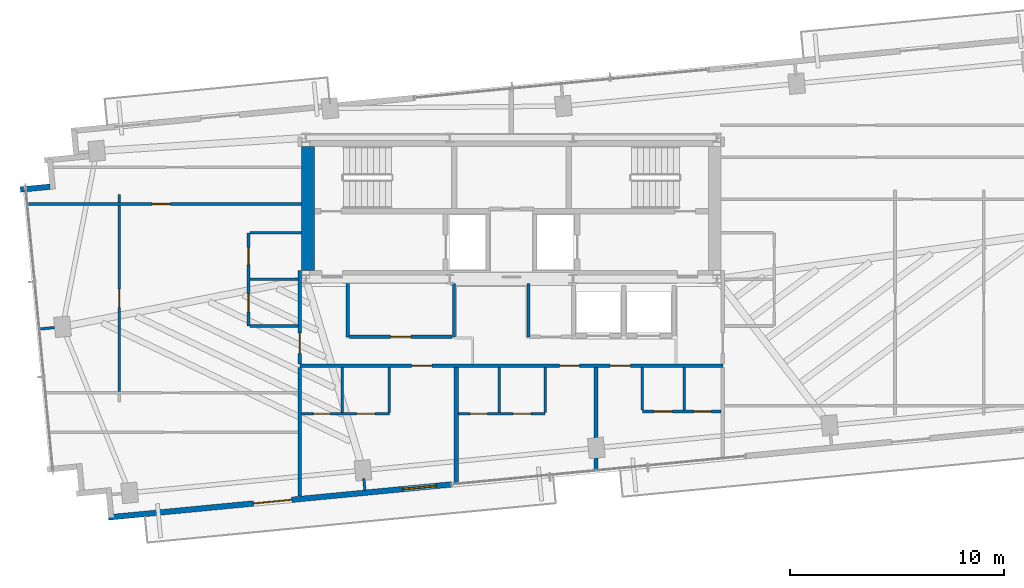
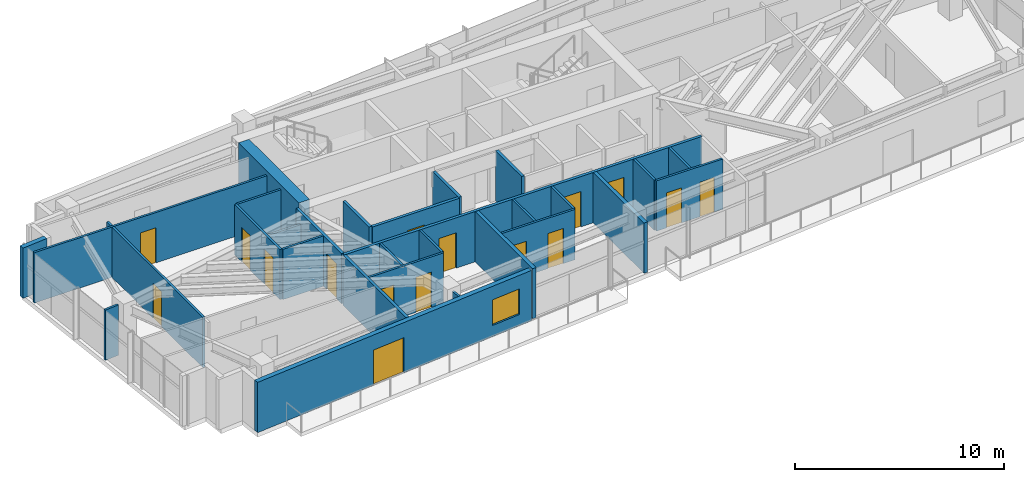
# One storey, part 13 of 18: 30 walls, 16 doors, 1 window, 17 openings.
"""IFC4 building model written with IfcOpenShell, lengths in metres."""

from ifc_helpers import new_model, si_unit, direction, frame, frame_2d, origin, place, context, subcontext, project, spatial, rectangle, extrude, source, transform, mapped, material, layer, layer_set, type_object, type_shapes, element, fill, save


model = new_model("IFC4")

# Units and contexts
model_context = context("Model", 3, precision=1e-05, world=origin(), true_north=direction((0.0, 1.0)))
body_context = subcontext(model_context, "Body", "Model", "MODEL_VIEW")
ifc_project = project(units=[si_unit("LENGTHUNIT", "METRE"), si_unit("AREAUNIT", "SQUARE_METRE"), si_unit("VOLUMEUNIT", "CUBIC_METRE"), si_unit("PLANEANGLEUNIT", "RADIAN"), si_unit("MASSUNIT", "GRAM", prefix="KILO")], contexts=[model_context])

# Site, building, storey
site_placement = place(None, origin())
site = spatial("IfcSite", under=ifc_project, at=site_placement, CompositionType="ELEMENT")
building_placement = place(site_placement, origin())
building = spatial("IfcBuilding", under=site, at=building_placement, Name="Astriad Promenade Condominiums", CompositionType="ELEMENT")
storey_placement = place(building_placement, frame((0.0, 0.0, 201.800048828125)))
storey = spatial("IfcBuildingStorey", under=building, at=storey_placement, Name="L58", CompositionType="ELEMENT", Elevation=201.800048828125)

# Wall
ifc_material_1 = material(Name="Concrete C50/60", Category="concrete")
ifc_layer_1 = layer(ifc_material_1, 0.60009765625)
ifc_layer_set_1 = layer_set([ifc_layer_1], Name="Concrete C50/60")
wall_type_1 = type_object("IfcWallType", Name="CW-SHEAR-600", PredefinedType="SHEAR", material=ifc_layer_set_1)
wall_1_placement = place(storey_placement, frame((26.5, 17.802001953125, 0.0), z_axis=(0.0, 0.0, 1.0), x_axis=(0.0, 1.0, 0.0)))
element("IfcWall", 1, at=wall_1_placement, inside=storey, type_object=wall_type_1, Name="CW-CORE-W-L58", PredefinedType="SHEAR", context=body_context, shape_type="SweptSolid", body=[
    extrude(rectangle(XDim=5.7958984375, YDim=0.60009765625, at=frame_2d((2.89794921875, 0.0))), origin(), (0.0, 0.0, 1.0), 3.199951171875),
])

# Wall, openings, doors
ifc_material_2 = material(Name="Fire-Rated Gypsum Partition")
ifc_layer_2 = layer(ifc_material_2, 0.159912109375)
ifc_layer_set_2 = layer_set([ifc_layer_2], Name="Fire-Rated Gypsum Partition")
wall_type_2 = type_object("IfcWallType", Name="WALL-CORR-160", PredefinedType="PARTITIONING", material=ifc_layer_set_2)
wall_2_placement = place(storey_placement, frame((26.1201171875, 13.360107421875, 0.0), z_axis=(0.0, 0.0, 1.0), x_axis=(1.0, 0.0, 0.0)))
wall_2 = element("IfcWall", 2, at=wall_2_placement, inside=storey, type_object=wall_type_2, Name="PT-COR-S-L58", PredefinedType="PARTITIONING", context=body_context, shape_type="SweptSolid", body=[
    extrude(rectangle(XDim=19.759765625, YDim=0.159912109375, at=frame_2d((9.8798828125, 0.0))), origin(), (0.0, 0.0, 1.0), 2.93994140625),
])
opening_1_placement = place(wall_2_placement, frame((5.220947265625, 0.0, 0.0)))
opening_1 = element("IfcOpeningElement", 3, at=opening_1_placement, cuts=wall_2, Name="Opening FD60-APT-095", PredefinedType="OPENING", context=body_context, shape_type="SweptSolid", body=[
    extrude(rectangle(XDim=0.949951171875, YDim=2.06005859375, at=frame_2d((0.47509765625, 1.030029296875))), frame((0.0, 0.08984375, 0.0), z_axis=(0.0, -1.0, 0.0), x_axis=(1.0, 0.0, 0.0)), (0.0, 0.0, 1.0), 0.179931640625),
])
opening_2_placement = place(wall_2_placement, frame((12.118896484375, 0.0, 0.0)))
opening_2 = element("IfcOpeningElement", 4, at=opening_2_placement, cuts=wall_2, Name="Opening FD60-APT-095", PredefinedType="OPENING", context=body_context, shape_type="SweptSolid", body=[
    extrude(rectangle(XDim=0.949951171875, YDim=2.06005859375, at=frame_2d((0.47509765625, 1.030029296875))), frame((0.0, 0.08984375, 0.0), z_axis=(0.0, -1.0, 0.0), x_axis=(1.0, 0.0, 0.0)), (0.0, 0.0, 1.0), 0.179931640625),
])
opening_3_placement = place(wall_2_placement, frame((14.491943359375, 0.0, 0.0)))
opening_3 = element("IfcOpeningElement", 5, at=opening_3_placement, cuts=wall_2, Name="Opening FD60-APT-095", PredefinedType="OPENING", context=body_context, shape_type="SweptSolid", body=[
    extrude(rectangle(XDim=0.949951171875, YDim=2.06005859375, at=frame_2d((0.47509765625, 1.030029296875))), frame((0.0, 0.08984375, 0.0), z_axis=(0.0, -1.0, 0.0), x_axis=(1.0, 0.0, 0.0)), (0.0, 0.0, 1.0), 0.179931640625),
])
ifc_material_3 = material(Name="Solid-Core Acoustic Timber Residence Entry Door", Category="wood")
door_type_1 = type_object("IfcDoorType", Name="FD60-APT-095", OperationType="NOTDEFINED", PredefinedType="DOOR", material=ifc_material_3)
shared_shape_1 = source(origin(), body_context, "Body", "SweptSolid", [
    extrude(rectangle(XDim=0.949951171875, YDim=2.06005859375, at=frame_2d((0.47509765625, 1.030029296875))), frame((0.0, 0.02490234375, 0.0), z_axis=(0.0, -1.0, 0.0), x_axis=(1.0, 0.0, 0.0)), (0.0, 0.0, 1.0), 0.050048828125),
])
type_shapes(door_type_1, [shared_shape_1])
door_1_placement = place(opening_1_placement, origin())
door_1 = element("IfcDoor", 6, at=door_1_placement, inside=storey, type_object=door_type_1, Name="D-ENT-L58-S1", OperationType="SINGLE_SWING_RIGHT", OverallHeight=2.06005859375, OverallWidth=0.949951171875, PredefinedType="DOOR", context=body_context, shape_type="MappedRepresentation", body=[
    mapped(shared_shape_1, transform((0.0, 0.0, 0.0), scale=1.0)),
])
fill(opening_1, door_1)
door_2_placement = place(opening_2_placement, origin())
door_2 = element("IfcDoor", 7, at=door_2_placement, inside=storey, type_object=door_type_1, Name="D-ENT-L58-S2", OperationType="SINGLE_SWING_LEFT", OverallHeight=2.06005859375, OverallWidth=0.949951171875, PredefinedType="DOOR", context=body_context, shape_type="MappedRepresentation", body=[
    mapped(shared_shape_1, transform((0.0, 0.0, 0.0), scale=1.0)),
])
fill(opening_2, door_2)
door_3_placement = place(opening_3_placement, origin())
door_3 = element("IfcDoor", 8, at=door_3_placement, inside=storey, type_object=door_type_1, Name="D-ENT-L58-S3", OperationType="SINGLE_SWING_RIGHT", OverallHeight=2.06005859375, OverallWidth=0.949951171875, PredefinedType="DOOR", context=body_context, shape_type="MappedRepresentation", body=[
    mapped(shared_shape_1, transform((0.0, 0.0, 0.0), scale=1.0)),
])
fill(opening_3, door_3)

# Wall
wall_3_placement = place(storey_placement, frame((26.1201171875, 7.26123046875, 0.0), z_axis=(0.0, 0.0, 1.0), x_axis=(0.0, 1.0, 0.0)))
element("IfcWall", 9, at=wall_3_placement, inside=storey, type_object=wall_type_2, Name="PT-COR-W-L58", PredefinedType="PARTITIONING", context=body_context, shape_type="SweptSolid", body=[
    extrude(rectangle(XDim=6.016845703125, YDim=0.159912109375, at=frame_2d((3.00830078125, 0.0))), origin(), (0.0, 0.0, 1.0), 2.93994140625),
])

# Wall, opening, door
wall_4_placement = place(storey_placement, frame((26.1201171875, 13.44189453125, 0.0), z_axis=(0.0, 0.0, 1.0), x_axis=(0.0, 1.0, 0.0)))
wall_4 = element("IfcWall", 10, at=wall_4_placement, inside=storey, type_object=wall_type_2, Name="PT-COR-W-L58-S2", PredefinedType="PARTITIONING", context=body_context, shape_type="SweptSolid", body=[
    extrude(rectangle(XDim=4.360107421875, YDim=0.159912109375, at=frame_2d((2.18017578125, 0.0))), origin(), (0.0, 0.0, 1.0), 2.93994140625),
])
opening_4_placement = place(wall_4_placement, frame((0.492919921875, 0.0, 0.0)))
opening_4 = element("IfcOpeningElement", 11, at=opening_4_placement, cuts=wall_4, Name="Opening FD60-APT-095", PredefinedType="OPENING", context=body_context, shape_type="SweptSolid", body=[
    extrude(rectangle(XDim=0.949951171875, YDim=2.06005859375, at=frame_2d((0.47509765625, 1.030029296875))), frame((0.0, 0.08984375, 0.0), z_axis=(0.0, -1.0, 0.0), x_axis=(1.0, 0.0, 0.0)), (0.0, 0.0, 1.0), 0.179931640625),
])
door_4_placement = place(opening_4_placement, origin())
door_4 = element("IfcDoor", 12, at=door_4_placement, inside=storey, type_object=door_type_1, Name="D-ENT-L58-W1", OperationType="SINGLE_SWING_LEFT", OverallHeight=2.06005859375, OverallWidth=0.949951171875, PredefinedType="DOOR", context=body_context, shape_type="MappedRepresentation", body=[
    mapped(shared_shape_1, transform((0.0, 0.0, 0.0), scale=1.0)),
])
fill(opening_4, door_4)

# Walls
for number, where, z_axis, x_axis, name in (
    (13, (28.360107421875, 14.699951171875, 0.0), (0.0, 0.0, 1.0), (0.0, 1.0, 0.0), "PT-Z3REC-W-L58"),
    (14, (33.320068359375, 14.699951171875, 0.0), (0.0, 0.0, 1.0), (0.0, 1.0, 0.0), "PT-Z3REC-E-L58"),
):
    element("IfcWall", number, at=place(storey_placement, frame(where, z_axis=z_axis, x_axis=x_axis)), inside=storey, type_object=wall_type_2, Name=name, PredefinedType="PARTITIONING", context=body_context, shape_type="SweptSolid", body=[
        extrude(rectangle(XDim=2.498046875, YDim=0.159912109375, at=frame_2d((1.2490234375, 0.0))), origin(), (0.0, 0.0, 1.0), 2.93994140625),
    ])

# Wall, opening, door
wall_5_placement = place(storey_placement, frame((28.44189453125, 14.699951171875, 0.0), z_axis=(0.0, 0.0, 1.0), x_axis=(1.0, 0.0, 0.0)))
wall_5 = element("IfcWall", 15, at=wall_5_placement, inside=storey, type_object=wall_type_2, Name="PT-Z3REC-S-L58", PredefinedType="PARTITIONING", context=body_context, shape_type="SweptSolid", body=[
    extrude(rectangle(XDim=4.796142578125, YDim=0.159912109375, at=frame_2d((2.39794921875, 0.0))), origin(), (0.0, 0.0, 1.0), 2.93994140625),
])
opening_5_placement = place(wall_5_placement, frame((1.923095703125, 0.0, 0.0)))
opening_5 = element("IfcOpeningElement", 16, at=opening_5_placement, cuts=wall_5, Name="Opening FD60-APT-095", PredefinedType="OPENING", context=body_context, shape_type="SweptSolid", body=[
    extrude(rectangle(XDim=0.949951171875, YDim=2.06005859375, at=frame_2d((0.47509765625, 1.030029296875))), frame((0.0, 0.08984375, 0.0), z_axis=(0.0, -1.0, 0.0), x_axis=(1.0, 0.0, 0.0)), (0.0, 0.0, 1.0), 0.179931640625),
])
door_5_placement = place(opening_5_placement, origin())
door_5 = element("IfcDoor", 17, at=door_5_placement, inside=storey, type_object=door_type_1, Name="D-Z3R-L58", OperationType="SINGLE_SWING_RIGHT", OverallHeight=2.06005859375, OverallWidth=0.949951171875, PredefinedType="DOOR", context=body_context, shape_type="MappedRepresentation", body=[
    mapped(shared_shape_1, transform((0.0, 0.0, 0.0), scale=1.0)),
])
fill(opening_5, door_5)

# Walls
wall_6_placement = place(storey_placement, frame((36.800048828125, 14.699951171875, 0.0), z_axis=(0.0, 0.0, 1.0), x_axis=(0.0, 1.0, 0.0)))
element("IfcWall", 18, at=wall_6_placement, inside=storey, type_object=wall_type_2, Name="PT-Z3R2-W-L58", PredefinedType="PARTITIONING", context=body_context, shape_type="SweptSolid", body=[
    extrude(rectangle(XDim=2.498046875, YDim=0.159912109375, at=frame_2d((1.2490234375, 0.0))), origin(), (0.0, 0.0, 1.0), 2.93994140625),
])
ifc_material_4 = material(Name="Acoustic Double-Stud Gypsum Partition")
ifc_layer_3 = layer(ifc_material_4, 0.199951171875)
ifc_layer_set_3 = layer_set([ifc_layer_3], Name="Acoustic Double-Stud Gypsum Partition")
wall_type_3 = type_object("IfcWallType", Name="WALL-DEMISING-200", PredefinedType="PARTITIONING", material=ifc_layer_set_3)
wall_7_placement = place(storey_placement, frame((33.430908203125, 7.7822265625, 0.0), z_axis=(0.0, 0.0, 1.0), x_axis=(0.0, 1.0, 0.0)))
element("IfcWall", 19, at=wall_7_placement, inside=storey, type_object=wall_type_3, Name="PT-DEM-S1-L58", PredefinedType="PARTITIONING", context=body_context, shape_type="SweptSolid", body=[
    extrude(rectangle(XDim=5.495849609375, YDim=0.199951171875, at=frame_2d((2.748046875, 0.0))), origin(), (0.0, 0.0, 1.0), 2.93994140625),
])
wall_8_placement = place(storey_placement, frame((39.951904296875, 8.41015625, 0.0), z_axis=(0.0, 0.0, 1.0), x_axis=(0.0, 1.0, 0.0)))
element("IfcWall", 20, at=wall_8_placement, inside=storey, type_object=wall_type_3, Name="PT-DEM-S2-L58", PredefinedType="PARTITIONING", context=body_context, shape_type="SweptSolid", body=[
    extrude(rectangle(XDim=4.867919921875, YDim=0.199951171875, at=frame_2d((2.43408203125, 0.0))), origin(), (0.0, 0.0, 1.0), 2.93994140625),
])
ifc_material_5 = material(Name="Precast concrete C50/60", Category="concrete")
ifc_layer_4 = layer(ifc_material_5, 0.260009765625)
ifc_layer_set_4 = layer_set([ifc_layer_4], Name="Precast concrete C50/60")
wall_type_4 = type_object("IfcWallType", Name="WALL-EXT-TWR-260", PredefinedType="STANDARD", material=ifc_layer_set_4)
wall_9_placement = place(storey_placement, frame((13.058349609375, 21.583251953125, 0.0), z_axis=(0.0, 0.0, 1.0), x_axis=(0.99540774648, 0.095725744959, 0.0)))
element("IfcWall", 21, at=wall_9_placement, inside=storey, type_object=wall_type_4, Name="W-SER-L58-04", PredefinedType="STANDARD", context=body_context, shape_type="SweptSolid", body=[
    extrude(rectangle(XDim=1.39501953125, YDim=0.260009765625, at=frame_2d((0.697509765625, 0.0))), origin(), (0.0, 0.0, 1.0), 2.93994140625),
])

# Wall, openings, door, window
wall_10_placement = place(storey_placement, frame((33.201171875, 7.810302734375, 0.0), z_axis=(0.0, 0.0, 1.0), x_axis=(-0.995397074604, -0.095836652014, 0.0)))
wall_10 = element("IfcWall", 22, at=wall_10_placement, inside=storey, type_object=wall_type_4, Name="W-EXT-L58-S2", PredefinedType="STANDARD", context=body_context, shape_type="SweptSolid", body=[
    extrude(rectangle(XDim=16.10009765625, YDim=0.260009765625, at=frame_2d((8.050048828125, 0.0))), origin(), (0.0, 0.0, 1.0), 2.93994140625),
])
opening_6_placement = place(wall_10_placement, frame((7.489990234375, 0.0, 0.0)))
opening_6 = element("IfcOpeningElement", 23, at=opening_6_placement, cuts=wall_10, Name="Opening BD-1822-SLD", PredefinedType="OPENING", context=body_context, shape_type="SweptSolid", body=[
    extrude(rectangle(XDim=1.800048828125, YDim=2.06005859375, at=frame_2d((0.89990234375, 1.030029296875))), frame((0.0, 0.139892578125, 0.0), z_axis=(0.0, -1.0, 0.0), x_axis=(1.0, 0.0, 0.0)), (0.0, 0.0, 1.0), 0.280029296875),
])
opening_7_placement = place(wall_10_placement, frame((0.699951171875, 0.0, 0.64990234375)))
opening_7 = element("IfcOpeningElement", 24, at=opening_7_placement, cuts=wall_10, Name="Opening WIN-TWR-1620", PredefinedType="OPENING", context=body_context, shape_type="SweptSolid", body=[
    extrude(rectangle(XDim=1.60009765625, YDim=1.5, at=frame_2d((0.800048828125, 0.75))), frame((0.0, 0.139892578125, 0.0), z_axis=(0.0, -1.0, 0.0), x_axis=(1.0, 0.0, 0.0)), (0.0, 0.0, 1.0), 0.280029296875),
])
ifc_material_6 = material(Name="Thermally Broken Aluminium Sliding Balcony Door", Category="aluminium")
door_type_2 = type_object("IfcDoorType", Name="BD-1822-SLD", OperationType="NOTDEFINED", PredefinedType="DOOR", material=ifc_material_6)
shared_shape_2 = source(origin(), body_context, "Body", "SweptSolid", [
    extrude(rectangle(XDim=1.800048828125, YDim=2.06005859375, at=frame_2d((0.89990234375, 1.030029296875))), frame((0.0, 0.02490234375, 0.0), z_axis=(0.0, -1.0, 0.0), x_axis=(1.0, 0.0, 0.0)), (0.0, 0.0, 1.0), 0.050048828125),
])
type_shapes(door_type_2, [shared_shape_2])
door_6_placement = place(opening_6_placement, origin())
door_6 = element("IfcDoor", 25, at=door_6_placement, inside=storey, type_object=door_type_2, Name="BD-L58-SW", OperationType="SLIDING_TO_LEFT", OverallHeight=2.06005859375, OverallWidth=1.800048828125, PredefinedType="DOOR", context=body_context, shape_type="MappedRepresentation", body=[
    mapped(shared_shape_2, transform((0.0, 0.0, 0.0), scale=1.0)),
])
fill(opening_6, door_6)
ifc_material_7 = material(Name="Dark Tinted Triple-Glazed Aluminium Window", Category="aluminium")
window_type = type_object("IfcWindowType", Name="WIN-TWR-1620", PartitioningType="SINGLE_PANEL", PredefinedType="WINDOW", material=ifc_material_7)
shared_shape_3 = source(origin(), body_context, "Body", "SweptSolid", [
    extrude(rectangle(XDim=1.60009765625, YDim=1.5, at=frame_2d((0.800048828125, 0.75))), frame((0.0, 0.030029296875, 0.0), z_axis=(0.0, -1.0, 0.0), x_axis=(1.0, 0.0, 0.0)), (0.0, 0.0, 1.0), 0.06005859375),
])
type_shapes(window_type, [shared_shape_3])
window_placement = place(opening_7_placement, origin())
window = element("IfcWindow", 26, at=window_placement, inside=storey, type_object=window_type, Name="WIN-L58-SW", OverallHeight=1.5, OverallWidth=1.60009765625, PartitioningType="SINGLE_PANEL", PredefinedType="WINDOW", context=body_context, shape_type="MappedRepresentation", body=[
    mapped(shared_shape_3, transform((0.0, 0.0, 0.0), scale=1.0)),
])
fill(opening_7, window)

# Wall, openings, doors
ifc_material_8 = material(Name="Acoustic Metal-Stud Gypsum Partition")
ifc_layer_5 = layer(ifc_material_8, 0.1201171875)
ifc_layer_set_5 = layer_set([ifc_layer_5], Name="Acoustic Metal-Stud Gypsum Partition")
wall_type_5 = type_object("IfcWallType", Name="WALL-PART-120", PredefinedType="PARTITIONING", material=ifc_layer_set_5)
wall_11_placement = place(storey_placement, frame((26.201904296875, 11.110107421875, 0.0), z_axis=(0.0, 0.0, 1.0), x_axis=(1.0, 0.0, 0.0)))
wall_11 = element("IfcWall", 27, at=wall_11_placement, inside=storey, type_object=wall_type_5, Name="PT-L58-S1-PS", PredefinedType="PARTITIONING", context=body_context, shape_type="SweptSolid", body=[
    extrude(rectangle(XDim=4.09814453125, YDim=0.1201171875, at=frame_2d((2.049072265625, 0.0))), origin(), (0.0, 0.0, 1.0), 2.93994140625),
])
opening_8_placement = place(wall_11_placement, frame((0.548095703125, 0.0, 0.0)))
opening_8 = element("IfcOpeningElement", 28, at=opening_8_placement, cuts=wall_11, Name="Opening D-WET-080", PredefinedType="OPENING", context=body_context, shape_type="SweptSolid", body=[
    extrude(rectangle(XDim=0.800048828125, YDim=2.02001953125, at=frame_2d((0.39990234375, 1.010009765625))), frame((0.0, 0.070068359375, 0.0), z_axis=(0.0, -1.0, 0.0), x_axis=(1.0, 0.0, 0.0)), (0.0, 0.0, 1.0), 0.14013671875),
])
opening_9_placement = place(wall_11_placement, frame((2.572998046875, 0.0, 0.0)))
opening_9 = element("IfcOpeningElement", 29, at=opening_9_placement, cuts=wall_11, Name="Opening D-INT-085", PredefinedType="OPENING", context=body_context, shape_type="SweptSolid", body=[
    extrude(rectangle(XDim=0.85009765625, YDim=2.050048828125, at=frame_2d((0.425048828125, 1.02490234375))), frame((0.0, 0.070068359375, 0.0), z_axis=(0.0, -1.0, 0.0), x_axis=(1.0, 0.0, 0.0)), (0.0, 0.0, 1.0), 0.14013671875),
])
ifc_material_9 = material(Name="Moisture-Resistant Timber Bathroom Door", Category="wood")
door_type_3 = type_object("IfcDoorType", Name="D-WET-080", OperationType="NOTDEFINED", PredefinedType="DOOR", material=ifc_material_9)
shared_shape_4 = source(origin(), body_context, "Body", "SweptSolid", [
    extrude(rectangle(XDim=0.800048828125, YDim=2.02001953125, at=frame_2d((0.39990234375, 1.010009765625))), frame((0.0, 0.02490234375, 0.0), z_axis=(0.0, -1.0, 0.0), x_axis=(1.0, 0.0, 0.0)), (0.0, 0.0, 1.0), 0.050048828125),
])
type_shapes(door_type_3, [shared_shape_4])
door_7_placement = place(opening_8_placement, origin())
door_7 = element("IfcDoor", 30, at=door_7_placement, inside=storey, type_object=door_type_3, Name="D-BTH-L58-S1", OperationType="SINGLE_SWING_LEFT", OverallHeight=2.02001953125, OverallWidth=0.800048828125, PredefinedType="DOOR", context=body_context, shape_type="MappedRepresentation", body=[
    mapped(shared_shape_4, transform((0.0, 0.0, 0.0), scale=1.0)),
])
fill(opening_8, door_7)
ifc_material_10 = material(Name="Painted Solid-Core Timber Room Door", Category="wood")
door_type_4 = type_object("IfcDoorType", Name="D-INT-085", OperationType="NOTDEFINED", PredefinedType="DOOR", material=ifc_material_10)
shared_shape_5 = source(origin(), body_context, "Body", "SweptSolid", [
    extrude(rectangle(XDim=0.85009765625, YDim=2.050048828125, at=frame_2d((0.425048828125, 1.02490234375))), frame((0.0, 0.02490234375, 0.0), z_axis=(0.0, -1.0, 0.0), x_axis=(1.0, 0.0, 0.0)), (0.0, 0.0, 1.0), 0.050048828125),
])
type_shapes(door_type_4, [shared_shape_5])
door_8_placement = place(opening_9_placement, origin())
door_8 = element("IfcDoor", 31, at=door_8_placement, inside=storey, type_object=door_type_4, Name="D-KIT-L58-S1", OperationType="SINGLE_SWING_RIGHT", OverallHeight=2.050048828125, OverallWidth=0.85009765625, PredefinedType="DOOR", context=body_context, shape_type="MappedRepresentation", body=[
    mapped(shared_shape_5, transform((0.0, 0.0, 0.0), scale=1.0)),
])
fill(opening_9, door_8)

# Walls
for number, where, z_axis, x_axis, name in (
    (32, (30.300048828125, 11.172119140625, 0.0), (0.0, 0.0, 1.0), (0.0, 1.0, 0.0), "PT-L58-S1-PK"),
    (33, (28.10009765625, 11.172119140625, 0.0), (0.0, 0.0, 1.0), (0.0, 1.0, 0.0), "PT-L58-S1-PB"),
):
    element("IfcWall", number, at=place(storey_placement, frame(where, z_axis=z_axis, x_axis=x_axis)), inside=storey, type_object=wall_type_5, Name=name, PredefinedType="PARTITIONING", context=body_context, shape_type="SweptSolid", body=[
        extrude(rectangle(XDim=2.10595703125, YDim=0.1201171875, at=frame_2d((1.052978515625, 0.0))), origin(), (0.0, 0.0, 1.0), 2.93994140625),
    ])

# Wall, openings, doors
wall_12_placement = place(storey_placement, frame((33.532958984375, 11.110107421875, 0.0), z_axis=(0.0, 0.0, 1.0), x_axis=(1.0, 0.0, 0.0)))
wall_12 = element("IfcWall", 34, at=wall_12_placement, inside=storey, type_object=wall_type_5, Name="PT-L58-S2-PS", PredefinedType="PARTITIONING", context=body_context, shape_type="SweptSolid", body=[
    extrude(rectangle(XDim=4.04296875, YDim=0.1201171875, at=frame_2d((2.021484375, 0.0))), origin(), (0.0, 0.0, 1.0), 2.93994140625),
])
opening_10_placement = place(wall_12_placement, frame((0.5458984375, 0.0, 0.0)))
opening_10 = element("IfcOpeningElement", 35, at=opening_10_placement, cuts=wall_12, Name="Opening D-WET-080", PredefinedType="OPENING", context=body_context, shape_type="SweptSolid", body=[
    extrude(rectangle(XDim=0.800048828125, YDim=2.02001953125, at=frame_2d((0.39990234375, 1.010009765625))), frame((0.0, 0.070068359375, 0.0), z_axis=(0.0, -1.0, 0.0), x_axis=(1.0, 0.0, 0.0)), (0.0, 0.0, 1.0), 0.14013671875),
])
opening_11_placement = place(wall_12_placement, frame((2.5439453125, 0.0, 0.0)))
opening_11 = element("IfcOpeningElement", 36, at=opening_11_placement, cuts=wall_12, Name="Opening D-INT-085", PredefinedType="OPENING", context=body_context, shape_type="SweptSolid", body=[
    extrude(rectangle(XDim=0.85009765625, YDim=2.050048828125, at=frame_2d((0.425048828125, 1.02490234375))), frame((0.0, 0.070068359375, 0.0), z_axis=(0.0, -1.0, 0.0), x_axis=(1.0, 0.0, 0.0)), (0.0, 0.0, 1.0), 0.14013671875),
])
door_9_placement = place(opening_10_placement, origin())
door_9 = element("IfcDoor", 37, at=door_9_placement, inside=storey, type_object=door_type_3, Name="D-BTH-L58-S2", OperationType="SINGLE_SWING_RIGHT", OverallHeight=2.02001953125, OverallWidth=0.800048828125, PredefinedType="DOOR", context=body_context, shape_type="MappedRepresentation", body=[
    mapped(shared_shape_4, transform((0.0, 0.0, 0.0), scale=1.0)),
])
fill(opening_10, door_9)
door_10_placement = place(opening_11_placement, origin())
door_10 = element("IfcDoor", 38, at=door_10_placement, inside=storey, type_object=door_type_4, Name="D-KIT-L58-S2", OperationType="SINGLE_SWING_LEFT", OverallHeight=2.050048828125, OverallWidth=0.85009765625, PredefinedType="DOOR", context=body_context, shape_type="MappedRepresentation", body=[
    mapped(shared_shape_5, transform((0.0, 0.0, 0.0), scale=1.0)),
])
fill(opening_11, door_10)

# Walls
for number, where, z_axis, x_axis, name in (
    (39, (37.575927734375, 11.172119140625, 0.0), (0.0, 0.0, 1.0), (0.0, 1.0, 0.0), "PT-L58-S2-PK"),
    (40, (35.427001953125, 11.172119140625, 0.0), (0.0, 0.0, 1.0), (0.0, 1.0, 0.0), "PT-L58-S2-PB"),
):
    element("IfcWall", number, at=place(storey_placement, frame(where, z_axis=z_axis, x_axis=x_axis)), inside=storey, type_object=wall_type_5, Name=name, PredefinedType="PARTITIONING", context=body_context, shape_type="SweptSolid", body=[
        extrude(rectangle(XDim=2.10595703125, YDim=0.1201171875, at=frame_2d((1.052978515625, 0.0))), origin(), (0.0, 0.0, 1.0), 2.93994140625),
    ])

# Wall, openings, doors
wall_13_placement = place(storey_placement, frame((42.1220703125, 11.217041015625, 0.0), z_axis=(0.0, 0.0, 1.0), x_axis=(1.0, 0.0, 0.0)))
wall_13 = element("IfcWall", 41, at=wall_13_placement, inside=storey, type_object=wall_type_5, Name="PT-L58-S3-PS", PredefinedType="PARTITIONING", context=body_context, shape_type="SweptSolid", body=[
    extrude(rectangle(XDim=3.676025390625, YDim=0.1201171875, at=frame_2d((1.837890625, 0.0))), origin(), (0.0, 0.0, 1.0), 2.93994140625),
])
opening_12_placement = place(wall_13_placement, frame((0.552001953125, 0.0, 0.0)))
opening_12 = element("IfcOpeningElement", 42, at=opening_12_placement, cuts=wall_13, Name="Opening D-INT-085", PredefinedType="OPENING", context=body_context, shape_type="SweptSolid", body=[
    extrude(rectangle(XDim=0.85009765625, YDim=2.050048828125, at=frame_2d((0.425048828125, 1.02490234375))), frame((0.0, 0.070068359375, 0.0), z_axis=(0.0, -1.0, 0.0), x_axis=(1.0, 0.0, 0.0)), (0.0, 0.0, 1.0), 0.14013671875),
])
opening_13_placement = place(wall_13_placement, frame((2.416015625, 0.0, 0.0)))
opening_13 = element("IfcOpeningElement", 43, at=opening_13_placement, cuts=wall_13, Name="Opening D-WET-080", PredefinedType="OPENING", context=body_context, shape_type="SweptSolid", body=[
    extrude(rectangle(XDim=0.800048828125, YDim=2.02001953125, at=frame_2d((0.39990234375, 1.010009765625))), frame((0.0, 0.070068359375, 0.0), z_axis=(0.0, -1.0, 0.0), x_axis=(1.0, 0.0, 0.0)), (0.0, 0.0, 1.0), 0.14013671875),
])
door_11_placement = place(opening_13_placement, origin())
door_11 = element("IfcDoor", 44, at=door_11_placement, inside=storey, type_object=door_type_3, Name="D-BTH-L58-S3", OperationType="SINGLE_SWING_RIGHT", OverallHeight=2.02001953125, OverallWidth=0.800048828125, PredefinedType="DOOR", context=body_context, shape_type="MappedRepresentation", body=[
    mapped(shared_shape_4, transform((0.0, 0.0, 0.0), scale=1.0)),
])
fill(opening_13, door_11)
door_12_placement = place(opening_12_placement, origin())
door_12 = element("IfcDoor", 45, at=door_12_placement, inside=storey, type_object=door_type_4, Name="D-KIT-L58-S3", OperationType="SINGLE_SWING_LEFT", OverallHeight=2.050048828125, OverallWidth=0.85009765625, PredefinedType="DOOR", context=body_context, shape_type="MappedRepresentation", body=[
    mapped(shared_shape_5, transform((0.0, 0.0, 0.0), scale=1.0)),
])
fill(opening_12, door_12)

# Walls
for number, where, z_axis, x_axis, name in (
    (46, (42.1220703125, 11.279052734375, 0.0), (0.0, 0.0, 1.0), (0.0, 1.0, 0.0), "PT-L58-S3-PK"),
    (47, (44.075927734375, 11.279052734375, 0.0), (0.0, 0.0, 1.0), (0.0, 1.0, 0.0), "PT-L58-S3-PB"),
):
    element("IfcWall", number, at=place(storey_placement, frame(where, z_axis=z_axis, x_axis=x_axis)), inside=storey, type_object=wall_type_5, Name=name, PredefinedType="PARTITIONING", context=body_context, shape_type="SweptSolid", body=[
        extrude(rectangle(XDim=1.9990234375, YDim=0.1201171875, at=frame_2d((0.99951171875, 0.0))), origin(), (0.0, 0.0, 1.0), 2.93994140625),
    ])

# Wall, openings, doors
wall_14_placement = place(storey_placement, frame((23.719970703125, 15.2099609375, 0.0), z_axis=(0.0, 0.0, 1.0), x_axis=(0.0, 1.0, 0.0)))
wall_14 = element("IfcWall", 48, at=wall_14_placement, inside=storey, type_object=wall_type_5, Name="PT-L58-W1-PV", PredefinedType="PARTITIONING", context=body_context, shape_type="SweptSolid", body=[
    extrude(rectangle(XDim=4.35009765625, YDim=0.1201171875, at=frame_2d((2.175048828125, 0.0))), origin(), (0.0, 0.0, 1.0), 2.93994140625),
])
opening_14_placement = place(wall_14_placement, frame((0.662109375, 0.0, 0.0)))
opening_14 = element("IfcOpeningElement", 49, at=opening_14_placement, cuts=wall_14, Name="Opening D-INT-085", PredefinedType="OPENING", context=body_context, shape_type="SweptSolid", body=[
    extrude(rectangle(XDim=0.85009765625, YDim=2.050048828125, at=frame_2d((0.425048828125, 1.02490234375))), frame((0.0, 0.070068359375, 0.0), z_axis=(0.0, -1.0, 0.0), x_axis=(1.0, 0.0, 0.0)), (0.0, 0.0, 1.0), 0.14013671875),
])
opening_15_placement = place(wall_14_placement, frame((2.863037109375, 0.0, 0.0)))
opening_15 = element("IfcOpeningElement", 50, at=opening_15_placement, cuts=wall_14, Name="Opening D-WET-080", PredefinedType="OPENING", context=body_context, shape_type="SweptSolid", body=[
    extrude(rectangle(XDim=0.800048828125, YDim=2.02001953125, at=frame_2d((0.39990234375, 1.010009765625))), frame((0.0, 0.070068359375, 0.0), z_axis=(0.0, -1.0, 0.0), x_axis=(1.0, 0.0, 0.0)), (0.0, 0.0, 1.0), 0.14013671875),
])
door_13_placement = place(opening_15_placement, origin())
door_13 = element("IfcDoor", 51, at=door_13_placement, inside=storey, type_object=door_type_3, Name="D-BTH-L58-W1", OperationType="SINGLE_SWING_LEFT", OverallHeight=2.02001953125, OverallWidth=0.800048828125, PredefinedType="DOOR", context=body_context, shape_type="MappedRepresentation", body=[
    mapped(shared_shape_4, transform((0.0, 0.0, 0.0), scale=1.0)),
])
fill(opening_15, door_13)
door_14_placement = place(opening_14_placement, origin())
door_14 = element("IfcDoor", 52, at=door_14_placement, inside=storey, type_object=door_type_4, Name="D-KIT-L58-W1", OperationType="SINGLE_SWING_RIGHT", OverallHeight=2.050048828125, OverallWidth=0.85009765625, PredefinedType="DOOR", context=body_context, shape_type="MappedRepresentation", body=[
    mapped(shared_shape_5, transform((0.0, 0.0, 0.0), scale=1.0)),
])
fill(opening_14, door_14)

# Walls
wall_15_placement = place(storey_placement, frame((23.781982421875, 17.385009765625, 0.0), z_axis=(0.0, 0.0, 1.0), x_axis=(1.0, 0.0, 0.0)))
element("IfcWall", 53, at=wall_15_placement, inside=storey, type_object=wall_type_5, Name="PT-L58-W1-PM", PredefinedType="PARTITIONING", context=body_context, shape_type="SweptSolid", body=[
    extrude(rectangle(XDim=2.256103515625, YDim=0.1201171875, at=frame_2d((1.1279296875, 0.0))), origin(), (0.0, 0.0, 1.0), 2.28125),
])
wall_16_placement = place(storey_placement, frame((23.781982421875, 15.2099609375, 0.0), z_axis=(0.0, 0.0, 1.0), x_axis=(1.0, 0.0, 0.0)))
element("IfcWall", 54, at=wall_16_placement, inside=storey, type_object=wall_type_5, Name="PT-L58-W1-PS", PredefinedType="PARTITIONING", context=body_context, shape_type="SweptSolid", body=[
    extrude(rectangle(XDim=2.256103515625, YDim=0.1201171875, at=frame_2d((1.1279296875, 0.0))), origin(), (0.0, 0.0, 1.0), 2.93994140625),
])
wall_17_placement = place(storey_placement, frame((23.781982421875, 19.56005859375, 0.0), z_axis=(0.0, 0.0, 1.0), x_axis=(1.0, 0.0, 0.0)))
element("IfcWall", 55, at=wall_17_placement, inside=storey, type_object=wall_type_5, Name="PT-L58-W1-PN", PredefinedType="PARTITIONING", context=body_context, shape_type="SweptSolid", body=[
    extrude(rectangle(XDim=2.416015625, YDim=0.1201171875, at=frame_2d((1.2080078125, 0.0))), origin(), (0.0, 0.0, 1.0), 2.93994140625),
])

# Wall, opening, door
wall_18_placement = place(storey_placement, frame((13.333984375, 20.910888671875, 0.0), z_axis=(0.0, 0.0, 1.0), x_axis=(1.0, 0.0, 0.0)))
wall_18 = element("IfcWall", 56, at=wall_18_placement, inside=storey, type_object=wall_type_5, Name="PT-L58-W1-WDN4", PredefinedType="PARTITIONING", context=body_context, shape_type="SweptSolid", body=[
    extrude(rectangle(XDim=12.864013671875, YDim=0.1201171875, at=frame_2d((6.43212890625, 0.0))), origin(), (0.0, 0.0, 1.0), 2.93994140625),
])
opening_16_placement = place(wall_18_placement, frame((5.881103515625, 0.0, 0.0)))
opening_16 = element("IfcOpeningElement", 57, at=opening_16_placement, cuts=wall_18, Name="Opening D-INT-085", PredefinedType="OPENING", context=body_context, shape_type="SweptSolid", body=[
    extrude(rectangle(XDim=0.85009765625, YDim=2.050048828125, at=frame_2d((0.425048828125, 1.02490234375))), frame((0.0, 0.070068359375, 0.0), z_axis=(0.0, -1.0, 0.0), x_axis=(1.0, 0.0, 0.0)), (0.0, 0.0, 1.0), 0.14013671875),
])
door_15_placement = place(opening_16_placement, origin())
door_15 = element("IfcDoor", 58, at=door_15_placement, inside=storey, type_object=door_type_4, Name="D-WDN4-L58-W1", OperationType="SINGLE_SWING_LEFT", OverallHeight=2.050048828125, OverallWidth=0.85009765625, PredefinedType="DOOR", context=body_context, shape_type="MappedRepresentation", body=[
    mapped(shared_shape_5, transform((0.0, 0.0, 0.0), scale=1.0)),
])
fill(opening_16, door_15)

wall_19_placement = place(storey_placement, frame((17.68798828125, 12.159912109375, 0.0), z_axis=(0.0, 0.0, 1.0), x_axis=(0.0, 1.0, 0.0)))
wall_19 = element("IfcWall", 59, at=wall_19_placement, inside=storey, type_object=wall_type_5, Name="PT-L58-W1-WDV5-S2", PredefinedType="PARTITIONING", context=body_context, shape_type="SweptSolid", body=[
    extrude(rectangle(XDim=8.689208984375, YDim=0.1201171875, at=frame_2d((4.3447265625, 0.0))), origin(), (0.0, 0.0, 1.0), 2.93994140625),
])
opening_17_placement = place(wall_19_placement, frame((3.919921875, 0.0, 0.0)))
opening_17 = element("IfcOpeningElement", 60, at=opening_17_placement, cuts=wall_19, Name="Opening D-INT-085", PredefinedType="OPENING", context=body_context, shape_type="SweptSolid", body=[
    extrude(rectangle(XDim=0.85009765625, YDim=2.050048828125, at=frame_2d((0.425048828125, 1.02490234375))), frame((0.0, 0.070068359375, 0.0), z_axis=(0.0, -1.0, 0.0), x_axis=(1.0, 0.0, 0.0)), (0.0, 0.0, 1.0), 0.14013671875),
])
door_16_placement = place(opening_17_placement, origin())
door_16 = element("IfcDoor", 61, at=door_16_placement, inside=storey, type_object=door_type_4, Name="D-WDV5-L58-W1", OperationType="SINGLE_SWING_RIGHT", OverallHeight=2.050048828125, OverallWidth=0.85009765625, PredefinedType="DOOR", context=body_context, shape_type="MappedRepresentation", body=[
    mapped(shared_shape_5, transform((0.0, 0.0, 0.0), scale=1.0)),
])
fill(opening_17, door_16)

# Walls
wall_20_placement = place(storey_placement, frame((17.68798828125, 20.972900390625, 0.0), z_axis=(0.0, 0.0, 1.0), x_axis=(0.0, 1.0, 0.0)))
element("IfcWall", 62, at=wall_20_placement, inside=storey, type_object=wall_type_5, Name="PT-L58-W1-WDV5-S3", PredefinedType="PARTITIONING", context=body_context, shape_type="SweptSolid", body=[
    extrude(rectangle(XDim=0.378173828125, YDim=0.1201171875, at=frame_2d((0.18896484375, 0.0))), origin(), (0.0, 0.0, 1.0), 2.93994140625),
])
wall_21_placement = place(storey_placement, frame((29.10546875, 8.089111328125, 0.0), z_axis=(0.0, 0.0, 1.0), x_axis=(0.095772948675, -0.995403205893, 0.0)))
element("IfcWall", 63, at=wall_21_placement, inside=storey, type_object=wall_type_5, Name="PT-PIL-L58-PC02-9", PredefinedType="PARTITIONING", context=body_context, shape_type="SweptSolid", body=[
    extrude(rectangle(XDim=0.537841796875, YDim=0.1201171875, at=frame_2d((0.26904296875, 0.0))), origin(), (0.0, 0.0, 1.0), 2.93994140625),
])
wall_22_placement = place(storey_placement, frame((14.653564453125, 15.136474609375, 0.0), z_axis=(0.0, 0.0, 1.0), x_axis=(-0.995408440582, -0.095718527039, 0.0)))
element("IfcWall", 64, at=wall_22_placement, inside=storey, type_object=wall_type_5, Name="PT-PIL-L58-PC11-18", PredefinedType="PARTITIONING", context=body_context, shape_type="SweptSolid", body=[
    extrude(rectangle(XDim=0.760009765625, YDim=0.1201171875, at=frame_2d((0.3798828125, 0.0))), origin(), (0.0, 0.0, 1.0), 2.93994140625),
])

save(model, "model.ifc")
